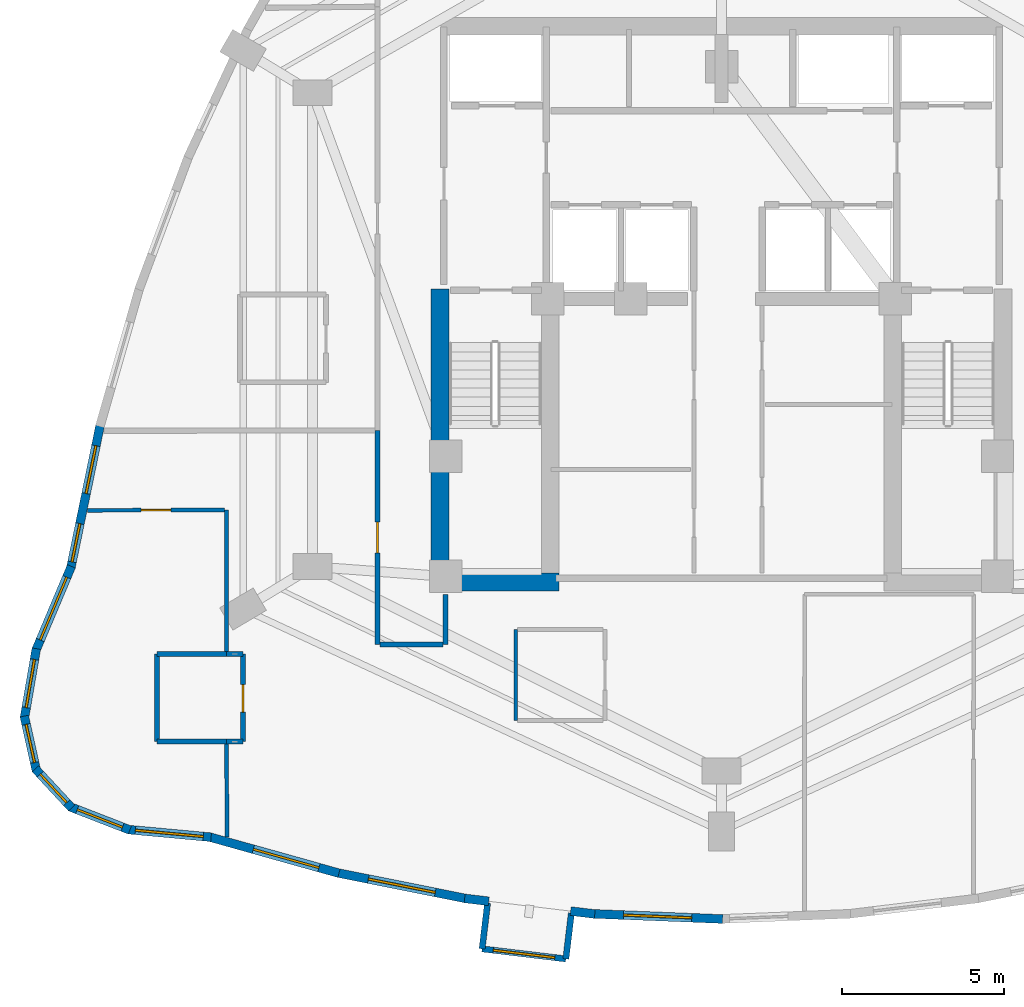
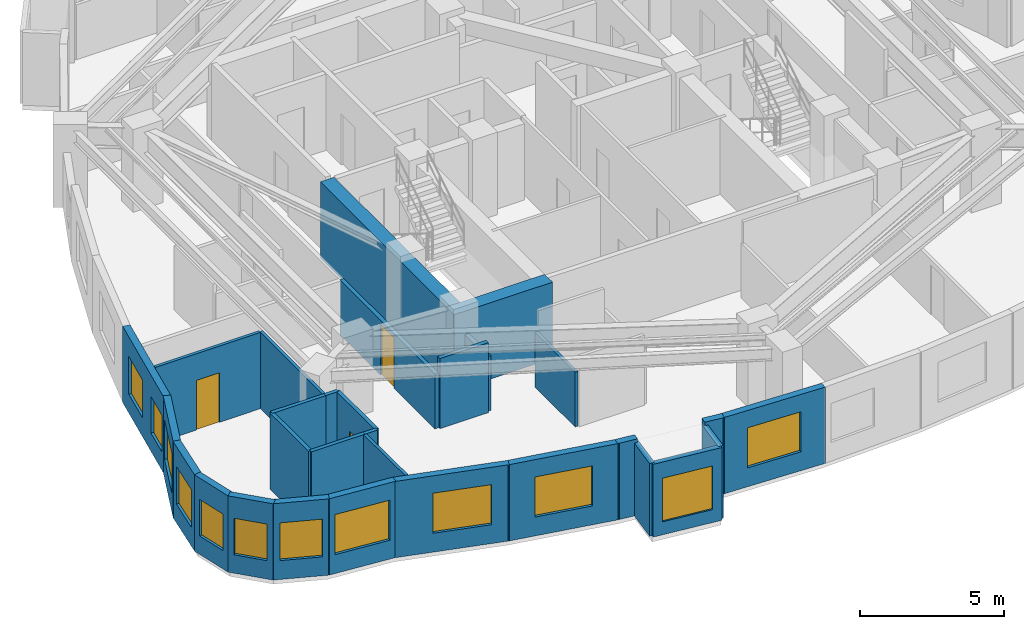
# One storey, part 5 of 11: 30 walls, 12 windows, 3 doors, 15 openings.
"""IFC4 building model written with IfcOpenShell, lengths in metres."""

import ifcopenshell
import ifcopenshell.guid

model = None  # the IFC model being written
_history = None  # IfcOwnerHistory: only IFC2X3 demands one
_inside = {}  # id of a spatial element -> (the spatial element, [elements in it])
_under = {}  # id of a project, library or spatial element -> (it, [spatial elements below it])
_declared = {}  # id of a project -> (the project, [libraries it declares])
_typed = {}  # id of a type object -> (the type object, [elements of that type])
_made_of = {}  # id of a material, layer set ... -> (it, [elements and type objects made of it])


def new_model(schema):
    """Start an empty IFC model of exactly this schema.

    Asked for "IFC4X3", IfcOpenShell would pick the latest addendum, in which some entities
    have other attributes; the version numbers below select the first issue.
    IFC2X3 requires an IfcOwnerHistory on every rooted entity: one is made here for all.
    """
    global model, _history
    if schema == "IFC4X3":
        model = ifcopenshell.file(schema_version=(4, 3, 0, 0))
    else:
        model = ifcopenshell.file(schema=schema)
    _inside.clear()
    _under.clear()
    _declared.clear()
    _typed.clear()
    _made_of.clear()
    _history = None
    if model.schema == "IFC2X3":
        org = make("IfcOrganization", Name="unknown")
        user = make(
            "IfcPersonAndOrganization",
            ThePerson=make("IfcPerson", FamilyName="unknown"),
            TheOrganization=org,
        )
        app = make(
            "IfcApplication",
            ApplicationDeveloper=org,
            Version="unknown",
            ApplicationFullName="unknown",
            ApplicationIdentifier="unknown",
        )
        _history = make(
            "IfcOwnerHistory",
            OwningUser=user,
            OwningApplication=app,
            ChangeAction="ADDED",
            CreationDate=0,
        )
    return model


def make(cls, **values):
    """One entity of the class cls with the attributes given. An attribute that is None is left unset."""
    return model.create_entity(
        cls, **{name: value for name, value in values.items() if value is not None}
    )


def rooted(cls, **values):
    """An entity with a GlobalId (a new one), such as an element, a storey or a relation."""
    return make(cls, GlobalId=ifcopenshell.guid.new(), OwnerHistory=_history, **values)


def si_unit(unit_type, name, prefix=None):
    """IfcSIUnit, for example si_unit("LENGTHUNIT", "METRE", prefix="MILLI")."""
    return make("IfcSIUnit", UnitType=unit_type, Prefix=prefix, Name=name)


def assignment(units):
    """IfcUnitAssignment: the units of a project."""
    return None if units is None else make("IfcUnitAssignment", Units=units)


def point(xyz):
    """IfcCartesianPoint."""
    return None if xyz is None else make("IfcCartesianPoint", Coordinates=xyz)


def direction(xyz):
    """IfcDirection."""
    return None if xyz is None else make("IfcDirection", DirectionRatios=xyz)


def frame(location, z_axis=None, x_axis=None):
    """IfcAxis2Placement3D, a coordinate frame: its origin and axes. An axis left out is left unset."""
    return make(
        "IfcAxis2Placement3D",
        Location=point(location),
        Axis=direction(z_axis),
        RefDirection=direction(x_axis),
    )


def frame_2d(location, x_axis=None):
    """IfcAxis2Placement2D, a coordinate frame in the plane: its origin and x axis."""
    return make(
        "IfcAxis2Placement2D", Location=point(location), RefDirection=direction(x_axis)
    )


def origin():
    """The frame at (0, 0, 0) with its axes left unset."""
    return frame((0.0, 0.0, 0.0))


def place(relative_to, where):
    """IfcLocalPlacement: puts the frame where relative to a parent placement (None: the world)."""
    return make(
        "IfcLocalPlacement", PlacementRelTo=relative_to, RelativePlacement=where
    )


def context(
    kind, dimensions, precision=None, world=None, true_north=None, identifier=None
):
    """IfcGeometricRepresentationContext, for example the 3D "Model" context."""
    return make(
        "IfcGeometricRepresentationContext",
        ContextIdentifier=identifier,
        ContextType=kind,
        CoordinateSpaceDimension=dimensions,
        Precision=precision,
        WorldCoordinateSystem=world,
        TrueNorth=true_north,
    )


def subcontext(parent, identifier, kind, view, scale=None):
    """IfcGeometricRepresentationSubContext, for example "Body" below "Model"."""
    return make(
        "IfcGeometricRepresentationSubContext",
        ContextIdentifier=identifier,
        ContextType=kind,
        ParentContext=parent,
        TargetScale=scale,
        TargetView=view,
    )


def project(units=None, contexts=None):
    """IfcProject with its units and contexts."""
    return rooted(
        "IfcProject",
        Name="project",
        RepresentationContexts=contexts,
        UnitsInContext=assignment(units),
    )


def spatial(cls, under=None, at=None, **own):
    """A site, building, storey or space (cls), placed at a placement, below another one or the project."""
    s = rooted(cls, ObjectPlacement=at, **own)
    if under is not None:
        _under.setdefault(under.id(), (under, []))[1].append(s)
    return s


def profile(cls, at=None, kind="AREA", **sizes):
    """A parametric profile (cls). Its sizes go by their IFC names, for example OverallWidth=200.0."""
    return make(cls, ProfileType=kind, Position=at, **sizes)


def rectangle(**sizes):
    """IfcRectangleProfileDef."""
    return profile("IfcRectangleProfileDef", **sizes)


def extrude(swept, where, along, depth):
    """IfcExtrudedAreaSolid: the profile swept, set in the frame where, extruded along a direction by depth."""
    return make(
        "IfcExtrudedAreaSolid",
        SweptArea=swept,
        Position=where,
        ExtrudedDirection=direction(along),
        Depth=depth,
    )


def shape(context_of_items, identifier, shape_type, items):
    """IfcShapeRepresentation: the items that make up one representation, for example the "Body"."""
    return make(
        "IfcShapeRepresentation",
        ContextOfItems=context_of_items,
        RepresentationIdentifier=identifier,
        RepresentationType=shape_type,
        Items=items,
    )


def material(Name=None, Category=None):
    """IfcMaterial."""
    return make("IfcMaterial", Name=Name, Category=Category)


def layer(
    of_material, thickness, ventilated=None, Name=None, Category=None, Priority=None
):
    """IfcMaterialLayer: one layer of a wall or slab, of a material (None: an air gap)."""
    return make(
        "IfcMaterialLayer",
        Material=of_material,
        LayerThickness=thickness,
        IsVentilated=ventilated,
        Name=Name,
        Category=Category,
        Priority=Priority,
    )


def layer_set(layers, Name=None):
    """IfcMaterialLayerSet."""
    return make("IfcMaterialLayerSet", MaterialLayers=layers, LayerSetName=Name)


def made_of(thing, what):
    """Note that an element or type object is made of a material, layer set ...; save() writes the relation."""
    if what is not None:
        _made_of.setdefault(what.id(), (what, []))[1].append(thing)
    return thing


def type_object(cls, material=None, **own):
    """A type object (cls), such as IfcWallType, which elements share."""
    return made_of(rooted(cls, **own), material)


def element(
    cls,
    number,
    at=None,
    inside=None,
    cuts=None,
    type_object=None,
    material=None,
    context=None,
    identifier="Body",
    shape_type=None,
    held_by="IfcProductDefinitionShape",
    body=None,
    shapes=None,
    **own,
):
    """One element of the class cls, such as IfcWall. Its Tag is "e" and its number.

    at: its placement. inside: the storey or other place that contains it. cuts: it is an
    opening in that element (IfcRelVoidsElement). A single representation is given by context,
    identifier, shape_type and body (its items); several are given by shapes. held_by: the class
    of the entity that holds the representations. save() writes the other relations.
    """
    e = rooted(cls, Tag="e%d" % number, ObjectPlacement=at, **own)
    if body is not None:
        shapes = [shape(context, identifier, shape_type, body)]
    if shapes is not None:
        e.Representation = make(held_by, Representations=shapes)
    if inside is not None:
        _inside.setdefault(inside.id(), (inside, []))[1].append(e)
    if cuts is not None:
        rooted(
            "IfcRelVoidsElement", RelatingBuildingElement=cuts, RelatedOpeningElement=e
        )
    if type_object is not None:
        _typed.setdefault(type_object.id(), (type_object, []))[1].append(e)
    return made_of(e, material)


def fill(opening, filler):
    """IfcRelFillsElement: the door or window that sits in an opening."""
    return rooted(
        "IfcRelFillsElement",
        RelatingOpeningElement=opening,
        RelatedBuildingElement=filler,
    )


def aggregate(whole, parts):
    """IfcRelAggregates: a whole, such as a stair, and the parts it consists of."""
    return rooted("IfcRelAggregates", RelatingObject=whole, RelatedObjects=parts)


def save(model, path):
    """Write the relations noted so far, then the file.

    IfcRelAggregates (storeys below a building ...), IfcRelContainedInSpatialStructure (elements
    in a storey), IfcRelDefinesByType, IfcRelAssociatesMaterial and IfcRelDeclares: one each for
    every whole, place, type object, material and project.
    """
    for whole, parts in _under.values():
        aggregate(whole, parts)
    for where, things in _inside.values():
        rooted(
            "IfcRelContainedInSpatialStructure",
            RelatedElements=things,
            RelatingStructure=where,
        )
    for kind, things in _typed.values():
        rooted("IfcRelDefinesByType", RelatedObjects=things, RelatingType=kind)
    for what, things in _made_of.values():
        rooted("IfcRelAssociatesMaterial", RelatedObjects=things, RelatingMaterial=what)
    for by, libraries in _declared.values():
        rooted("IfcRelDeclares", RelatingContext=by, RelatedDefinitions=libraries)
    model.write(path)


model = new_model("IFC4")

# Units and contexts
model_context = context("Model", 3, precision=1e-05, world=origin(), true_north=direction((0.0, 1.0)))
body_context = subcontext(model_context, "Body", "Model", "MODEL_VIEW")
ifc_project = project(units=[si_unit("LENGTHUNIT", "METRE"), si_unit("AREAUNIT", "SQUARE_METRE"), si_unit("VOLUMEUNIT", "CUBIC_METRE"), si_unit("PLANEANGLEUNIT", "RADIAN"), si_unit("MASSUNIT", "GRAM", prefix="KILO")], contexts=[model_context])

# Site, building, storey
site_placement = place(None, origin())
site = spatial("IfcSite", under=ifc_project, at=site_placement, CompositionType="ELEMENT")
building_placement = place(site_placement, origin())
building = spatial("IfcBuilding", under=site, at=building_placement, Name="Miruveldt Soraemaru", CompositionType="ELEMENT")
storey_placement = place(building_placement, frame((0.0, 0.0, 152.89990234375)))
storey = spatial("IfcBuildingStorey", under=building, at=storey_placement, Name="L42", CompositionType="ELEMENT", Elevation=152.89990234375)

# Walls
ifc_material_1 = material(Name="White powder-coated aluminium EN AW-6060 T6", Category="aluminium")
ifc_layer_1 = layer(ifc_material_1, 0.18994140625, Name="White powder-coated aluminium EN AW-6060 T6", Category="aluminium")
ifc_layer_set_1 = layer_set([ifc_layer_1], Name="White powder-coated aluminium EN AW-6060 T6")
wall_type_1 = type_object("IfcWallType", Name="WALL-BAY-ALU190", PredefinedType="SOLIDWALL", material=ifc_layer_set_1)
for number, where, z_axis, x_axis, name in (
    (1, (36.79296875, 25.44189453125, 0.0), (0.0, 0.0, 1.0), (-0.119077659317, -0.992884943511, 0.0), "L42 Bay Window Side Cheek 1L"),
    (2, (39.20458984375, 23.71728515625, 0.0), (0.0, 0.0, 1.0), (0.119246559468, 0.992864672579, 0.0), "L42 Bay Window Side Cheek 1R"),
):
    element("IfcWall", number, at=place(storey_placement, frame(where, z_axis=z_axis, x_axis=x_axis)), inside=storey, type_object=wall_type_1, Name=name, PredefinedType="SOLIDWALL", context=body_context, shape_type="SweptSolid", body=[
        extrude(rectangle(XDim=1.425048828125, YDim=0.18994140625, at=frame_2d((0.71240234375, 0.0))), origin(), (0.0, 0.0, 1.0), 3.085205078125),
    ])

# Wall, opening, window
wall_1_placement = place(storey_placement, frame((36.623291015625, 24.027099609375, 0.0), z_axis=(0.0, 0.0, 1.0), x_axis=(0.992874172121, -0.119167438232, 0.0)))
wall_1 = element("IfcWall", 3, at=wall_1_placement, inside=storey, type_object=wall_type_1, Name="L42 Bay Window Front Frame 1", PredefinedType="SOLIDWALL", context=body_context, shape_type="SweptSolid", body=[
    extrude(rectangle(XDim=2.599853515625, YDim=0.18994140625, at=frame_2d((1.2998046875, 0.0))), origin(), (0.0, 0.0, 1.0), 3.085205078125),
])
opening_1_placement = place(wall_1_placement, frame((0.35009765625, 0.0, 0.550048828125)))
opening_1 = element("IfcOpeningElement", 4, at=opening_1_placement, cuts=wall_1, Name="Opening WN-6", PredefinedType="OPENING", context=body_context, shape_type="SweptSolid", body=[
    extrude(rectangle(XDim=1.89990234375, YDim=1.85009765625, at=frame_2d((0.949951171875, 0.925048828125))), frame((0.0, 0.10498046875, 0.0), z_axis=(0.0, -1.0, 0.0), x_axis=(1.0, 0.0, 0.0)), (0.0, 0.0, 1.0), 0.2099609375),
])
ifc_material_2 = material(Name="Triple low-e insulated glazing", Category="glass")
window_type_1 = type_object("IfcWindowType", Name="WIN-BAYW-1900x1850", PartitioningType="SINGLE_PANEL", PredefinedType="WINDOW", material=ifc_material_2)
window_1_placement = place(opening_1_placement, origin())
window_1 = element("IfcWindow", 5, at=window_1_placement, inside=storey, type_object=window_type_1, Name="L42 Projecting Bay Window 1", OverallHeight=1.85009765625, OverallWidth=1.89990234375, PartitioningType="SINGLE_PANEL", PredefinedType="WINDOW", context=body_context, shape_type="SweptSolid", body=[
    extrude(rectangle(XDim=1.89990234375, YDim=1.85009765625, at=frame_2d((0.949951171875, 0.925048828125))), frame((0.0, 0.030029296875, 0.0), z_axis=(0.0, -1.0, 0.0), x_axis=(1.0, 0.0, 0.0)), (0.0, 0.0, 1.0), 0.06005859375),
])
fill(opening_1, window_1)

# Walls
ifc_material_3 = material(Name="Concrete C70/85 (70 MPa)", Category="concrete")
ifc_layer_2 = layer(ifc_material_3, 0.550048828125, Name="Concrete C70/85 (70 MPa)", Category="concrete")
ifc_layer_set_2 = layer_set([ifc_layer_2], Name="Concrete C70/85 (70 MPa)")
wall_type_2 = type_object("IfcWallType", Name="WALL-CW-550", PredefinedType="SHEAR", material=ifc_layer_set_2)
wall_2_placement = place(storey_placement, frame((35.050048828125, 35.324951171875, 0.0), z_axis=(0.0, 0.0, 1.0), x_axis=(1.0, 0.0, 0.0)))
element("IfcWall", 6, at=wall_2_placement, inside=storey, type_object=wall_type_2, Name="L42 Central Core Shear Wall S1", PredefinedType="SHEAR", context=body_context, shape_type="SweptSolid", body=[
    extrude(rectangle(XDim=3.949951171875, YDim=0.550048828125, at=frame_2d((1.97509765625, 0.0))), origin(), (0.0, 0.0, 1.0), 3.235107421875),
])
wall_3_placement = place(storey_placement, frame((35.324951171875, 35.050048828125, 0.0), z_axis=(0.0, 0.0, 1.0), x_axis=(0.0, 1.0, 0.0)))
element("IfcWall", 7, at=wall_3_placement, inside=storey, type_object=wall_type_2, Name="L42 Central Core Shear Wall W1", PredefinedType="SHEAR", context=body_context, shape_type="SweptSolid", body=[
    extrude(rectangle(XDim=9.300048828125, YDim=0.550048828125, at=frame_2d((4.64990234375, 0.0))), origin(), (0.0, 0.0, 1.0), 3.235107421875),
])

# Wall, openings, windows
ifc_material_4 = material(Name="Precast concrete C45/55 (45 MPa)", Category="concrete")
ifc_layer_3 = layer(ifc_material_4, 0.27001953125, Name="Precast concrete C45/55 (45 MPa)", Category="concrete")
ifc_layer_set_3 = layer_set([ifc_layer_3], Name="Precast concrete C45/55 (45 MPa)")
wall_type_3 = type_object("IfcWallType", Name="WALL-EXT-PC270", PredefinedType="SOLIDWALL", material=ifc_layer_set_3)
wall_4_placement = place(storey_placement, frame((24.86376953125, 40.18701171875, 0.0), z_axis=(0.0, 0.0, 1.0), x_axis=(-0.201580000439, -0.979472053416, 0.0)))
wall_4 = element("IfcWall", 8, at=wall_4_placement, inside=storey, type_object=wall_type_3, Name="L42 Precast Concrete Facade Wall 14", PredefinedType="SOLIDWALL", context=body_context, shape_type="SweptSolid", body=[
    extrude(rectangle(XDim=4.534423828125, YDim=0.27001953125, at=frame_2d((2.26708984375, 0.0))), origin(), (0.0, 0.0, 1.0), 3.235107421875),
])
opening_2_placement = place(wall_4_placement, frame((0.675048828125, 0.0, 0.800048828125)))
opening_2 = element("IfcOpeningElement", 9, at=opening_2_placement, cuts=wall_4, Name="Opening WN-3", PredefinedType="OPENING", context=body_context, shape_type="SweptSolid", body=[
    extrude(rectangle(XDim=1.5, YDim=1.60009765625, at=frame_2d((0.75, 0.800048828125))), frame((0.0, 0.14501953125, 0.0), z_axis=(0.0, -1.0, 0.0), x_axis=(1.0, 0.0, 0.0)), (0.0, 0.0, 1.0), 0.2900390625),
])
opening_3_placement = place(wall_4_placement, frame((3.1259765625, 0.0, 0.780029296875)))
opening_3 = element("IfcOpeningElement", 10, at=opening_3_placement, cuts=wall_4, Name="Opening WN-4", PredefinedType="OPENING", context=body_context, shape_type="SweptSolid", body=[
    extrude(rectangle(XDim=1.199951171875, YDim=1.550048828125, at=frame_2d((0.60009765625, 0.77490234375))), frame((0.0, 0.14501953125, 0.0), z_axis=(0.0, -1.0, 0.0), x_axis=(1.0, 0.0, 0.0)), (0.0, 0.0, 1.0), 0.2900390625),
])
window_type_2 = type_object("IfcWindowType", Name="WIN-PUNCH-1200x1550", PartitioningType="SINGLE_PANEL", PredefinedType="WINDOW", material=ifc_material_2)
window_2_placement = place(opening_3_placement, origin())
window_2 = element("IfcWindow", 11, at=window_2_placement, inside=storey, type_object=window_type_2, Name="L42 Punched Triple-Glazed Window 14.2", OverallHeight=1.550048828125, OverallWidth=1.199951171875, PartitioningType="SINGLE_PANEL", PredefinedType="WINDOW", context=body_context, shape_type="SweptSolid", body=[
    extrude(rectangle(XDim=1.199951171875, YDim=1.550048828125, at=frame_2d((0.60009765625, 0.77490234375))), frame((0.0, 0.030029296875, 0.0), z_axis=(0.0, -1.0, 0.0), x_axis=(1.0, 0.0, 0.0)), (0.0, 0.0, 1.0), 0.06005859375),
])
fill(opening_3, window_2)
window_type_3 = type_object("IfcWindowType", Name="WIN-PUNCH-1500x1600", PartitioningType="SINGLE_PANEL", PredefinedType="WINDOW", material=ifc_material_2)
window_3_placement = place(opening_2_placement, origin())
window_3 = element("IfcWindow", 12, at=window_3_placement, inside=storey, type_object=window_type_3, Name="L42 Punched Triple-Glazed Window 14.1", OverallHeight=1.60009765625, OverallWidth=1.5, PartitioningType="SINGLE_PANEL", PredefinedType="WINDOW", context=body_context, shape_type="SweptSolid", body=[
    extrude(rectangle(XDim=1.5, YDim=1.60009765625, at=frame_2d((0.75, 0.800048828125))), frame((0.0, 0.030029296875, 0.0), z_axis=(0.0, -1.0, 0.0), x_axis=(1.0, 0.0, 0.0)), (0.0, 0.0, 1.0), 0.06005859375),
])
fill(opening_2, window_3)

# Wall, opening, window
wall_5_placement = place(storey_placement, frame((23.97021484375, 35.81201171875, 0.0), z_axis=(0.0, 0.0, 1.0), x_axis=(-0.388605388091, -0.921404282791, 0.0)))
wall_5 = element("IfcWall", 13, at=wall_5_placement, inside=storey, type_object=wall_type_3, Name="L42 Precast Concrete Facade Wall 15", PredefinedType="SOLIDWALL", context=body_context, shape_type="SweptSolid", body=[
    extrude(rectangle(XDim=2.825927734375, YDim=0.27001953125, at=frame_2d((1.4130859375, 0.0))), origin(), (0.0, 0.0, 1.0), 3.235107421875),
])
opening_4_placement = place(wall_5_placement, frame((0.363037109375, 0.0, 0.800048828125)))
opening_4 = element("IfcOpeningElement", 14, at=opening_4_placement, cuts=wall_5, Name="Opening WN-1", PredefinedType="OPENING", context=body_context, shape_type="SweptSolid", body=[
    extrude(rectangle(XDim=2.10009765625, YDim=1.699951171875, at=frame_2d((1.050048828125, 0.85009765625))), frame((0.0, 0.14501953125, 0.0), z_axis=(0.0, -1.0, 0.0), x_axis=(1.0, 0.0, 0.0)), (0.0, 0.0, 1.0), 0.2900390625),
])
window_type_4 = type_object("IfcWindowType", Name="WIN-PUNCH-2100x1700", PartitioningType="SINGLE_PANEL", PredefinedType="WINDOW", material=ifc_material_2)
window_4_placement = place(opening_4_placement, origin())
window_4 = element("IfcWindow", 15, at=window_4_placement, inside=storey, type_object=window_type_4, Name="L42 Punched Triple-Glazed Window 15.1", OverallHeight=1.699951171875, OverallWidth=2.10009765625, PartitioningType="SINGLE_PANEL", PredefinedType="WINDOW", context=body_context, shape_type="SweptSolid", body=[
    extrude(rectangle(XDim=2.10009765625, YDim=1.699951171875, at=frame_2d((1.050048828125, 0.85009765625))), frame((0.0, 0.030029296875, 0.0), z_axis=(0.0, -1.0, 0.0), x_axis=(1.0, 0.0, 0.0)), (0.0, 0.0, 1.0), 0.06005859375),
])
fill(opening_4, window_4)

wall_6_placement = place(storey_placement, frame((22.8916015625, 33.27490234375, 0.0), z_axis=(0.0, 0.0, 1.0), x_axis=(-0.169377605591, -0.985551229883, 0.0)))
wall_6 = element("IfcWall", 16, at=wall_6_placement, inside=storey, type_object=wall_type_3, Name="L42 Precast Concrete Facade Wall 16", PredefinedType="SOLIDWALL", context=body_context, shape_type="SweptSolid", body=[
    extrude(rectangle(XDim=2.177978515625, YDim=0.27001953125, at=frame_2d((1.0888671875, 0.0))), origin(), (0.0, 0.0, 1.0), 3.235107421875),
])
opening_5_placement = place(wall_6_placement, frame((0.339111328125, 0.0, 0.800048828125)))
opening_5 = element("IfcOpeningElement", 17, at=opening_5_placement, cuts=wall_6, Name="Opening WN-3", PredefinedType="OPENING", context=body_context, shape_type="SweptSolid", body=[
    extrude(rectangle(XDim=1.5, YDim=1.60009765625, at=frame_2d((0.75, 0.800048828125))), frame((0.0, 0.14501953125, 0.0), z_axis=(0.0, -1.0, 0.0), x_axis=(1.0, 0.0, 0.0)), (0.0, 0.0, 1.0), 0.2900390625),
])
window_5_placement = place(opening_5_placement, origin())
window_5 = element("IfcWindow", 18, at=window_5_placement, inside=storey, type_object=window_type_3, Name="L42 Punched Triple-Glazed Window 16.1", OverallHeight=1.60009765625, OverallWidth=1.5, PartitioningType="SINGLE_PANEL", PredefinedType="WINDOW", context=body_context, shape_type="SweptSolid", body=[
    extrude(rectangle(XDim=1.5, YDim=1.60009765625, at=frame_2d((0.75, 0.800048828125))), frame((0.0, 0.030029296875, 0.0), z_axis=(0.0, -1.0, 0.0), x_axis=(1.0, 0.0, 0.0)), (0.0, 0.0, 1.0), 0.06005859375),
])
fill(opening_5, window_5)

wall_7_placement = place(storey_placement, frame((22.52099609375, 31.197021484375, 0.0), z_axis=(0.0, 0.0, 1.0), x_axis=(0.215836362182, -0.976429549307, 0.0)))
wall_7 = element("IfcWall", 19, at=wall_7_placement, inside=storey, type_object=wall_type_3, Name="L42 Precast Concrete Facade Wall 17", PredefinedType="SOLIDWALL", context=body_context, shape_type="SweptSolid", body=[
    extrude(rectangle(XDim=1.72509765625, YDim=0.27001953125, at=frame_2d((0.862548828125, 0.0))), origin(), (0.0, 0.0, 1.0), 3.235107421875),
])
opening_6_placement = place(wall_7_placement, frame((0.261962890625, 0.0, 0.780029296875)))
opening_6 = element("IfcOpeningElement", 20, at=opening_6_placement, cuts=wall_7, Name="Opening WN-4", PredefinedType="OPENING", context=body_context, shape_type="SweptSolid", body=[
    extrude(rectangle(XDim=1.199951171875, YDim=1.550048828125, at=frame_2d((0.60009765625, 0.77490234375))), frame((0.0, 0.14501953125, 0.0), z_axis=(0.0, -1.0, 0.0), x_axis=(1.0, 0.0, 0.0)), (0.0, 0.0, 1.0), 0.2900390625),
])
window_6_placement = place(opening_6_placement, origin())
window_6 = element("IfcWindow", 21, at=window_6_placement, inside=storey, type_object=window_type_2, Name="L42 Punched Triple-Glazed Window 17.1", OverallHeight=1.550048828125, OverallWidth=1.199951171875, PartitioningType="SINGLE_PANEL", PredefinedType="WINDOW", context=body_context, shape_type="SweptSolid", body=[
    extrude(rectangle(XDim=1.199951171875, YDim=1.550048828125, at=frame_2d((0.60009765625, 0.77490234375))), frame((0.0, 0.030029296875, 0.0), z_axis=(0.0, -1.0, 0.0), x_axis=(1.0, 0.0, 0.0)), (0.0, 0.0, 1.0), 0.06005859375),
])
fill(opening_6, window_6)

wall_8_placement = place(storey_placement, frame((22.86181640625, 29.572509765625, 0.0), z_axis=(0.0, 0.0, 1.0), x_axis=(0.680189136537, -0.733036655657, 0.0)))
wall_8 = element("IfcWall", 22, at=wall_8_placement, inside=storey, type_object=wall_type_3, Name="L42 Precast Concrete Facade Wall 18", PredefinedType="SOLIDWALL", context=body_context, shape_type="SweptSolid", body=[
    extrude(rectangle(XDim=1.64453125, YDim=0.27001953125, at=frame_2d((0.822265625, 0.0))), origin(), (0.0, 0.0, 1.0), 3.235107421875),
])
opening_7_placement = place(wall_8_placement, frame((0.222900390625, 0.0, 0.780029296875)))
opening_7 = element("IfcOpeningElement", 23, at=opening_7_placement, cuts=wall_8, Name="Opening WN-4", PredefinedType="OPENING", context=body_context, shape_type="SweptSolid", body=[
    extrude(rectangle(XDim=1.199951171875, YDim=1.550048828125, at=frame_2d((0.60009765625, 0.77490234375))), frame((0.0, 0.14501953125, 0.0), z_axis=(0.0, -1.0, 0.0), x_axis=(1.0, 0.0, 0.0)), (0.0, 0.0, 1.0), 0.2900390625),
])
window_7_placement = place(opening_7_placement, origin())
window_7 = element("IfcWindow", 24, at=window_7_placement, inside=storey, type_object=window_type_2, Name="L42 Punched Triple-Glazed Window 18.1", OverallHeight=1.550048828125, OverallWidth=1.199951171875, PartitioningType="SINGLE_PANEL", PredefinedType="WINDOW", context=body_context, shape_type="SweptSolid", body=[
    extrude(rectangle(XDim=1.199951171875, YDim=1.550048828125, at=frame_2d((0.60009765625, 0.77490234375))), frame((0.0, 0.030029296875, 0.0), z_axis=(0.0, -1.0, 0.0), x_axis=(1.0, 0.0, 0.0)), (0.0, 0.0, 1.0), 0.06005859375),
])
fill(opening_7, window_7)

wall_9_placement = place(storey_placement, frame((23.924072265625, 28.4052734375, 0.0), z_axis=(0.0, 0.0, 1.0), x_axis=(0.93226989237, -0.361763524668, 0.0)))
wall_9 = element("IfcWall", 25, at=wall_9_placement, inside=storey, type_object=wall_type_3, Name="L42 Precast Concrete Facade Wall 19", PredefinedType="SOLIDWALL", context=body_context, shape_type="SweptSolid", body=[
    extrude(rectangle(XDim=1.98486328125, YDim=0.27001953125, at=frame_2d((0.992431640625, 0.0))), origin(), (0.0, 0.0, 1.0), 3.235107421875),
])
opening_8_placement = place(wall_9_placement, frame((0.241943359375, 0.0, 0.800048828125)))
opening_8 = element("IfcOpeningElement", 26, at=opening_8_placement, cuts=wall_9, Name="Opening WN-3", PredefinedType="OPENING", context=body_context, shape_type="SweptSolid", body=[
    extrude(rectangle(XDim=1.5, YDim=1.60009765625, at=frame_2d((0.75, 0.800048828125))), frame((0.0, 0.14501953125, 0.0), z_axis=(0.0, -1.0, 0.0), x_axis=(1.0, 0.0, 0.0)), (0.0, 0.0, 1.0), 0.2900390625),
])
window_8_placement = place(opening_8_placement, origin())
window_8 = element("IfcWindow", 27, at=window_8_placement, inside=storey, type_object=window_type_3, Name="L42 Punched Triple-Glazed Window 19.1", OverallHeight=1.60009765625, OverallWidth=1.5, PartitioningType="SINGLE_PANEL", PredefinedType="WINDOW", context=body_context, shape_type="SweptSolid", body=[
    extrude(rectangle(XDim=1.5, YDim=1.60009765625, at=frame_2d((0.75, 0.800048828125))), frame((0.0, 0.030029296875, 0.0), z_axis=(0.0, -1.0, 0.0), x_axis=(1.0, 0.0, 0.0)), (0.0, 0.0, 1.0), 0.06005859375),
])
fill(opening_8, window_8)

wall_10_placement = place(storey_placement, frame((25.706787109375, 27.703125, 0.0), z_axis=(0.0, 0.0, 1.0), x_axis=(0.995768944137, -0.091892382129, 0.0)))
wall_10 = element("IfcWall", 28, at=wall_10_placement, inside=storey, type_object=wall_type_3, Name="L42 Precast Concrete Facade Wall 20", PredefinedType="SOLIDWALL", context=body_context, shape_type="SweptSolid", body=[
    extrude(rectangle(XDim=2.579833984375, YDim=0.27001953125, at=frame_2d((1.2900390625, 0.0))), origin(), (0.0, 0.0, 1.0), 3.235107421875),
])
opening_9_placement = place(wall_10_placement, frame((0.239990234375, 0.0, 0.800048828125)))
opening_9 = element("IfcOpeningElement", 29, at=opening_9_placement, cuts=wall_10, Name="Opening WN-1", PredefinedType="OPENING", context=body_context, shape_type="SweptSolid", body=[
    extrude(rectangle(XDim=2.10009765625, YDim=1.699951171875, at=frame_2d((1.050048828125, 0.85009765625))), frame((0.0, 0.14501953125, 0.0), z_axis=(0.0, -1.0, 0.0), x_axis=(1.0, 0.0, 0.0)), (0.0, 0.0, 1.0), 0.2900390625),
])
window_9_placement = place(opening_9_placement, origin())
window_9 = element("IfcWindow", 30, at=window_9_placement, inside=storey, type_object=window_type_4, Name="L42 Punched Triple-Glazed Window 20.1", OverallHeight=1.699951171875, OverallWidth=2.10009765625, PartitioningType="SINGLE_PANEL", PredefinedType="WINDOW", context=body_context, shape_type="SweptSolid", body=[
    extrude(rectangle(XDim=2.10009765625, YDim=1.699951171875, at=frame_2d((1.050048828125, 0.85009765625))), frame((0.0, 0.030029296875, 0.0), z_axis=(0.0, -1.0, 0.0), x_axis=(1.0, 0.0, 0.0)), (0.0, 0.0, 1.0), 0.06005859375),
])
fill(opening_9, window_9)

wall_11_placement = place(storey_placement, frame((28.20703125, 27.478515625, 0.0), z_axis=(0.0, 0.0, 1.0), x_axis=(0.962978032601, -0.269579874485, 0.0)))
wall_11 = element("IfcWall", 31, at=wall_11_placement, inside=storey, type_object=wall_type_3, Name="L42 Precast Concrete Facade Wall 21", PredefinedType="SOLIDWALL", context=body_context, shape_type="SweptSolid", body=[
    extrude(rectangle(XDim=4.161376953125, YDim=0.27001953125, at=frame_2d((2.08056640625, 0.0))), origin(), (0.0, 0.0, 1.0), 3.235107421875),
])
opening_10_placement = place(wall_11_placement, frame((1.4208984375, 0.0, 0.800048828125)))
opening_10 = element("IfcOpeningElement", 32, at=opening_10_placement, cuts=wall_11, Name="Opening WN-1", PredefinedType="OPENING", context=body_context, shape_type="SweptSolid", body=[
    extrude(rectangle(XDim=2.10009765625, YDim=1.699951171875, at=frame_2d((1.050048828125, 0.85009765625))), frame((0.0, 0.14501953125, 0.0), z_axis=(0.0, -1.0, 0.0), x_axis=(1.0, 0.0, 0.0)), (0.0, 0.0, 1.0), 0.2900390625),
])
window_10_placement = place(opening_10_placement, origin())
window_10 = element("IfcWindow", 33, at=window_10_placement, inside=storey, type_object=window_type_4, Name="L42 Punched Triple-Glazed Window 21.1", OverallHeight=1.699951171875, OverallWidth=2.10009765625, PartitioningType="SINGLE_PANEL", PredefinedType="WINDOW", context=body_context, shape_type="SweptSolid", body=[
    extrude(rectangle(XDim=2.10009765625, YDim=1.699951171875, at=frame_2d((1.050048828125, 0.85009765625))), frame((0.0, 0.030029296875, 0.0), z_axis=(0.0, -1.0, 0.0), x_axis=(1.0, 0.0, 0.0)), (0.0, 0.0, 1.0), 0.06005859375),
])
fill(opening_10, window_10)

wall_12_placement = place(storey_placement, frame((32.146240234375, 26.372802734375, 0.0), z_axis=(0.0, 0.0, 1.0), x_axis=(0.980578378617, -0.196127620158, 0.0)))
wall_12 = element("IfcWall", 34, at=wall_12_placement, inside=storey, type_object=wall_type_3, Name="L42 Precast Concrete Facade Wall 22", PredefinedType="SOLIDWALL", context=body_context, shape_type="SweptSolid", body=[
    extrude(rectangle(XDim=4.087890625, YDim=0.27001953125, at=frame_2d((2.0439453125, 0.0))), origin(), (0.0, 0.0, 1.0), 3.235107421875),
])
opening_11_placement = place(wall_12_placement, frame((0.993896484375, 0.0, 0.800048828125)))
opening_11 = element("IfcOpeningElement", 35, at=opening_11_placement, cuts=wall_12, Name="Opening WN-1", PredefinedType="OPENING", context=body_context, shape_type="SweptSolid", body=[
    extrude(rectangle(XDim=2.10009765625, YDim=1.699951171875, at=frame_2d((1.050048828125, 0.85009765625))), frame((0.0, 0.14501953125, 0.0), z_axis=(0.0, -1.0, 0.0), x_axis=(1.0, 0.0, 0.0)), (0.0, 0.0, 1.0), 0.2900390625),
])
window_11_placement = place(opening_11_placement, origin())
window_11 = element("IfcWindow", 36, at=window_11_placement, inside=storey, type_object=window_type_4, Name="L42 Punched Triple-Glazed Window 22.1", OverallHeight=1.699951171875, OverallWidth=2.10009765625, PartitioningType="SINGLE_PANEL", PredefinedType="WINDOW", context=body_context, shape_type="SweptSolid", body=[
    extrude(rectangle(XDim=2.10009765625, YDim=1.699951171875, at=frame_2d((1.050048828125, 0.85009765625))), frame((0.0, 0.030029296875, 0.0), z_axis=(0.0, -1.0, 0.0), x_axis=(1.0, 0.0, 0.0)), (0.0, 0.0, 1.0), 0.06005859375),
])
fill(opening_11, window_11)

# Walls
for number, where, z_axis, x_axis, name in (
    (37, (36.085693359375, 25.582275390625, 0.0), (0.0, 0.0, 1.0), (0.992858318033, -0.119299456467, 0.0), "L42 Precast Pier Wall 23A"),
    (38, (39.351318359375, 25.1904296875, 0.0), (0.0, 0.0, 1.0), (0.992858318033, -0.119299456467, 0.0), "L42 Precast Pier Wall 23B"),
):
    element("IfcWall", number, at=place(storey_placement, frame(where, z_axis=z_axis, x_axis=x_axis)), inside=storey, type_object=wall_type_3, Name=name, PredefinedType="SOLIDWALL", context=body_context, shape_type="SweptSolid", body=[
        extrude(rectangle(XDim=0.7490234375, YDim=0.27001953125, at=frame_2d((0.37451171875, 0.0))), origin(), (0.0, 0.0, 1.0), 3.235107421875),
    ])

# Wall, opening, window
wall_13_placement = place(storey_placement, frame((40.025146484375, 25.106689453125, 0.0), z_axis=(0.0, 0.0, 1.0), x_axis=(0.999200861534, -0.039970467975, 0.0)))
wall_13 = element("IfcWall", 39, at=wall_13_placement, inside=storey, type_object=wall_type_3, Name="L42 Precast Concrete Facade Wall 24", PredefinedType="SOLIDWALL", context=body_context, shape_type="SweptSolid", body=[
    extrude(rectangle(XDim=4.012939453125, YDim=0.27001953125, at=frame_2d((2.00634765625, 0.0))), origin(), (0.0, 0.0, 1.0), 3.235107421875),
])
opening_12_placement = place(wall_13_placement, frame((0.9560546875, 0.0, 0.800048828125)))
opening_12 = element("IfcOpeningElement", 40, at=opening_12_placement, cuts=wall_13, Name="Opening WN-1", PredefinedType="OPENING", context=body_context, shape_type="SweptSolid", body=[
    extrude(rectangle(XDim=2.10009765625, YDim=1.699951171875, at=frame_2d((1.050048828125, 0.85009765625))), frame((0.0, 0.14501953125, 0.0), z_axis=(0.0, -1.0, 0.0), x_axis=(1.0, 0.0, 0.0)), (0.0, 0.0, 1.0), 0.2900390625),
])
window_12_placement = place(opening_12_placement, origin())
window_12 = element("IfcWindow", 41, at=window_12_placement, inside=storey, type_object=window_type_4, Name="L42 Punched Triple-Glazed Window 24.1", OverallHeight=1.699951171875, OverallWidth=2.10009765625, PartitioningType="SINGLE_PANEL", PredefinedType="WINDOW", context=body_context, shape_type="SweptSolid", body=[
    extrude(rectangle(XDim=2.10009765625, YDim=1.699951171875, at=frame_2d((1.050048828125, 0.85009765625))), frame((0.0, 0.030029296875, 0.0), z_axis=(0.0, -1.0, 0.0), x_axis=(1.0, 0.0, 0.0)), (0.0, 0.0, 1.0), 0.06005859375),
])
fill(opening_12, window_12)

# Wall, opening, door
ifc_material_5 = material(Name="Gypsum plasterboard lining", Category="gypsum")
ifc_layer_4 = layer(ifc_material_5, 0.1201171875, Name="Gypsum plasterboard lining", Category="gypsum")
ifc_layer_set_4 = layer_set([ifc_layer_4], Name="Gypsum plasterboard lining")
wall_type_4 = type_object("IfcWallType", Name="WALL-INT-P120", PredefinedType="PARTITIONING", material=ifc_layer_set_4)
wall_14_placement = place(storey_placement, frame((24.470947265625, 37.535888671875, 0.0), z_axis=(0.0, 0.0, 1.0), x_axis=(0.999994365107, 0.003357045388, 0.0)))
wall_14 = element("IfcWall", 42, at=wall_14_placement, inside=storey, type_object=wall_type_4, Name="L42 Partition Wall 49", PredefinedType="PARTITIONING", context=body_context, shape_type="SweptSolid", body=[
    extrude(rectangle(XDim=4.218017578125, YDim=0.1201171875, at=frame_2d((2.10888671875, 0.0))), origin(), (0.0, 0.0, 1.0), 3.235107421875),
])
opening_13_placement = place(wall_14_placement, frame((1.64892578125, 0.0, 0.0)))
opening_13 = element("IfcOpeningElement", 43, at=opening_13_placement, cuts=wall_14, Name="Opening D3A", PredefinedType="OPENING", context=body_context, shape_type="SweptSolid", body=[
    extrude(rectangle(XDim=0.919921875, YDim=2.10009765625, at=frame_2d((0.4599609375, 1.050048828125))), frame((0.0, 0.070068359375, 0.0), z_axis=(0.0, -1.0, 0.0), x_axis=(1.0, 0.0, 0.0)), (0.0, 0.0, 1.0), 0.14013671875),
])
ifc_material_6 = material(Name="Anodised aluminium EN AW-6063 T6", Category="aluminium")
door_type_1 = type_object("IfcDoorType", Name="DOOR-INT-920", OperationType="NOTDEFINED", PredefinedType="DOOR", material=ifc_material_6)
door_1_placement = place(opening_13_placement, origin())
door_1 = element("IfcDoor", 44, at=door_1_placement, inside=storey, type_object=door_type_1, Name="L42 Unit 4205 BD1 Door", OperationType="SINGLE_SWING_RIGHT", OverallHeight=2.10009765625, OverallWidth=0.919921875, PredefinedType="DOOR", context=body_context, shape_type="SweptSolid", body=[
    extrude(rectangle(XDim=0.919921875, YDim=2.10009765625, at=frame_2d((0.4599609375, 1.050048828125))), frame((0.0, 0.02490234375, 0.0), z_axis=(0.0, -1.0, 0.0), x_axis=(1.0, 0.0, 0.0)), (0.0, 0.0, 1.0), 0.050048828125),
])
fill(opening_13, door_1)

# Walls
wall_15_placement = place(storey_placement, frame((28.7490234375, 37.550048828125, 0.0), z_axis=(0.0, 0.0, 1.0), x_axis=(0.0, -1.0, 0.0)))
element("IfcWall", 45, at=wall_15_placement, inside=storey, type_object=wall_type_4, Name="L42 Partition Wall 50", PredefinedType="PARTITIONING", context=body_context, shape_type="SweptSolid", body=[
    extrude(rectangle(XDim=4.43994140625, YDim=0.1201171875, at=frame_2d((2.219970703125, 0.0))), origin(), (0.0, 0.0, 1.0), 3.235107421875),
])
wall_16_placement = place(storey_placement, frame((28.7490234375, 30.409912109375, 0.0), z_axis=(0.0, 0.0, 1.0), x_axis=(0.006492829091, -0.999978921363, 0.0)))
element("IfcWall", 46, at=wall_16_placement, inside=storey, type_object=wall_type_4, Name="L42 Partition Wall 51", PredefinedType="PARTITIONING", context=body_context, shape_type="SweptSolid", body=[
    extrude(rectangle(XDim=2.932861328125, YDim=0.1201171875, at=frame_2d((1.46630859375, 0.0))), origin(), (0.0, 0.0, 1.0), 3.235107421875),
])
wall_17_placement = place(storey_placement, frame((37.658935546875, 33.860107421875, 0.0), z_axis=(0.0, 0.0, 1.0), x_axis=(0.0, -1.0, 0.0)))
element("IfcWall", 47, at=wall_17_placement, inside=storey, type_object=wall_type_4, Name="L42 Partition Wall 47", PredefinedType="PARTITIONING", context=body_context, shape_type="SweptSolid", body=[
    extrude(rectangle(XDim=2.800048828125, YDim=0.1201171875, at=frame_2d((1.39990234375, 0.0))), origin(), (0.0, 0.0, 1.0), 2.322998046875),
])

# Wall, opening, door
ifc_layer_5 = layer(ifc_material_5, 0.14990234375, Name="Gypsum plasterboard lining", Category="gypsum")
ifc_layer_set_5 = layer_set([ifc_layer_5], Name="Gypsum plasterboard lining")
wall_type_5 = type_object("IfcWallType", Name="WALL-INT-PLUMB", PredefinedType="PLUMBINGWALL", material=ifc_layer_set_5)
wall_18_placement = place(storey_placement, frame((29.259033203125, 30.409912109375, 0.0), z_axis=(0.0, 0.0, 1.0), x_axis=(0.0, 1.0, 0.0)))
wall_18 = element("IfcWall", 48, at=wall_18_placement, inside=storey, type_object=wall_type_5, Name="L42 Partition Wall 42", PredefinedType="PLUMBINGWALL", context=body_context, shape_type="SweptSolid", body=[
    extrude(rectangle(XDim=2.7001953125, YDim=0.14990234375, at=frame_2d((1.35009765625, 0.0))), origin(), (0.0, 0.0, 1.0), 3.235107421875),
])
opening_14_placement = place(wall_18_placement, frame((0.909912109375, 0.0, 0.0)))
opening_14 = element("IfcOpeningElement", 49, at=opening_14_placement, cuts=wall_18, Name="Opening FD3", PredefinedType="OPENING", context=body_context, shape_type="SweptSolid", body=[
    extrude(rectangle(XDim=0.85009765625, YDim=2.10009765625, at=frame_2d((0.425048828125, 1.050048828125))), frame((0.0, 0.0849609375, 0.0), z_axis=(0.0, -1.0, 0.0), x_axis=(1.0, 0.0, 0.0)), (0.0, 0.0, 1.0), 0.169921875),
])
door_type_2 = type_object("IfcDoorType", Name="DOOR-FD3-850", OperationType="NOTDEFINED", PredefinedType="DOOR", material=ifc_material_6)
door_2_placement = place(opening_14_placement, origin())
door_2 = element("IfcDoor", 50, at=door_2_placement, inside=storey, type_object=door_type_2, Name="L42 Unit 4205 BTH Door", OperationType="SINGLE_SWING_RIGHT", OverallHeight=2.10009765625, OverallWidth=0.85009765625, PredefinedType="DOOR", context=body_context, shape_type="SweptSolid", body=[
    extrude(rectangle(XDim=0.85009765625, YDim=2.10009765625, at=frame_2d((0.425048828125, 1.050048828125))), frame((0.0, 0.02490234375, 0.0), z_axis=(0.0, -1.0, 0.0), x_axis=(1.0, 0.0, 0.0)), (0.0, 0.0, 1.0), 0.050048828125),
])
fill(opening_14, door_2)

# Walls
wall_19_placement = place(storey_placement, frame((26.60888671875, 33.110107421875, 0.0), z_axis=(0.0, 0.0, 1.0), x_axis=(0.0, -1.0, 0.0)))
element("IfcWall", 51, at=wall_19_placement, inside=storey, type_object=wall_type_5, Name="L42 Partition Wall 53", PredefinedType="PLUMBINGWALL", context=body_context, shape_type="SweptSolid", body=[
    extrude(rectangle(XDim=2.7001953125, YDim=0.14990234375, at=frame_2d((1.35009765625, 0.0))), origin(), (0.0, 0.0, 1.0), 3.235107421875),
])
for number, where, z_axis, x_axis, name in (
    (52, (28.7490234375, 33.110107421875, 0.0), (0.0, 0.0, 1.0), (-1.0, 0.0, 0.0), "L42 Partition Wall 52"),
    (53, (26.60888671875, 30.409912109375, 0.0), (0.0, 0.0, 1.0), (1.0, 0.0, 0.0), "L42 Partition Wall 54"),
):
    element("IfcWall", number, at=place(storey_placement, frame(where, z_axis=z_axis, x_axis=x_axis)), inside=storey, type_object=wall_type_5, Name=name, PredefinedType="PLUMBINGWALL", context=body_context, shape_type="SweptSolid", body=[
        extrude(rectangle(XDim=2.14013671875, YDim=0.14990234375, at=frame_2d((1.070068359375, 0.0))), origin(), (0.0, 0.0, 1.0), 3.235107421875),
    ])
for number, where, z_axis, x_axis, name in (
    (54, (29.259033203125, 33.110107421875, 0.0), (0.0, 0.0, 1.0), (-1.0, 0.0, 0.0), "L42 Partition Wall 43"),
    (55, (28.7490234375, 30.409912109375, 0.0), (0.0, 0.0, 1.0), (1.0, 0.0, 0.0), "L42 Partition Wall 44"),
):
    element("IfcWall", number, at=place(storey_placement, frame(where, z_axis=z_axis, x_axis=x_axis)), inside=storey, type_object=wall_type_5, Name=name, PredefinedType="PLUMBINGWALL", context=body_context, shape_type="SweptSolid", body=[
        extrude(rectangle(XDim=0.510009765625, YDim=0.14990234375, at=frame_2d((0.2548828125, 0.0))), origin(), (0.0, 0.0, 1.0), 3.235107421875),
    ])

# Wall, opening, door
ifc_material_7 = material(Name="Concrete C40/50 (40 MPa)", Category="concrete")
ifc_layer_6 = layer(ifc_material_7, 0.159912109375, Name="Concrete C40/50 (40 MPa)", Category="concrete")
ifc_layer_set_6 = layer_set([ifc_layer_6], Name="Concrete C40/50 (40 MPa)")
wall_type_6 = type_object("IfcWallType", Name="WALL-INT-RC160", PredefinedType="SOLIDWALL", material=ifc_layer_set_6)
wall_20_placement = place(storey_placement, frame((33.39990234375, 40.0, 0.0), z_axis=(0.0, 0.0, 1.0), x_axis=(0.0, -1.0, 0.0)))
wall_20 = element("IfcWall", 56, at=wall_20_placement, inside=storey, type_object=wall_type_6, Name="L42 Partition Wall 7", PredefinedType="SOLIDWALL", context=body_context, shape_type="SweptSolid", body=[
    extrude(rectangle(XDim=6.60009765625, YDim=0.159912109375, at=frame_2d((3.300048828125, 0.0))), origin(), (0.0, 0.0, 1.0), 2.322998046875),
])
opening_15_placement = place(wall_20_placement, frame((2.824951171875, 0.0, 0.0)))
opening_15 = element("IfcOpeningElement", 57, at=opening_15_placement, cuts=wall_20, Name="Opening FD2", PredefinedType="OPENING", context=body_context, shape_type="SweptSolid", body=[
    extrude(rectangle(XDim=0.949951171875, YDim=2.14990234375, at=frame_2d((0.47509765625, 1.074951171875))), frame((0.0, 0.08984375, 0.0), z_axis=(0.0, -1.0, 0.0), x_axis=(1.0, 0.0, 0.0)), (0.0, 0.0, 1.0), 0.179931640625),
])
door_type_3 = type_object("IfcDoorType", Name="DOOR-FD2-950", OperationType="NOTDEFINED", PredefinedType="DOOR", material=ifc_material_6)
door_3_placement = place(opening_15_placement, origin())
door_3 = element("IfcDoor", 58, at=door_3_placement, inside=storey, type_object=door_type_3, Name="L42 Unit 4205 Entrance Fire Door", OperationType="SINGLE_SWING_LEFT", OverallHeight=2.14990234375, OverallWidth=0.949951171875, PredefinedType="DOOR", context=body_context, shape_type="SweptSolid", body=[
    extrude(rectangle(XDim=0.949951171875, YDim=2.14990234375, at=frame_2d((0.47509765625, 1.074951171875))), frame((0.0, 0.02490234375, 0.0), z_axis=(0.0, -1.0, 0.0), x_axis=(1.0, 0.0, 0.0)), (0.0, 0.0, 1.0), 0.050048828125),
])
fill(opening_15, door_3)

# Walls
wall_21_placement = place(storey_placement, frame((33.47998046875, 33.39990234375, 0.0), z_axis=(0.0, 0.0, 1.0), x_axis=(1.0, 0.0, 0.0)))
element("IfcWall", 59, at=wall_21_placement, inside=storey, type_object=wall_type_6, Name="L42 Partition Wall 8", PredefinedType="SOLIDWALL", context=body_context, shape_type="SweptSolid", body=[
    extrude(rectangle(XDim=1.93994140625, YDim=0.159912109375, at=frame_2d((0.969970703125, 0.0))), origin(), (0.0, 0.0, 1.0), 2.97314453125),
])
wall_22_placement = place(storey_placement, frame((35.5, 33.39990234375, 0.0), z_axis=(0.0, 0.0, 1.0), x_axis=(0.0, 1.0, 0.0)))
element("IfcWall", 60, at=wall_22_placement, inside=storey, type_object=wall_type_6, Name="L42 Partition Wall 9", PredefinedType="SOLIDWALL", context=body_context, shape_type="SweptSolid", body=[
    extrude(rectangle(XDim=1.550048828125, YDim=0.159912109375, at=frame_2d((0.77490234375, 0.0))), origin(), (0.0, 0.0, 1.0), 2.322998046875),
])

save(model, "model.ifc")
